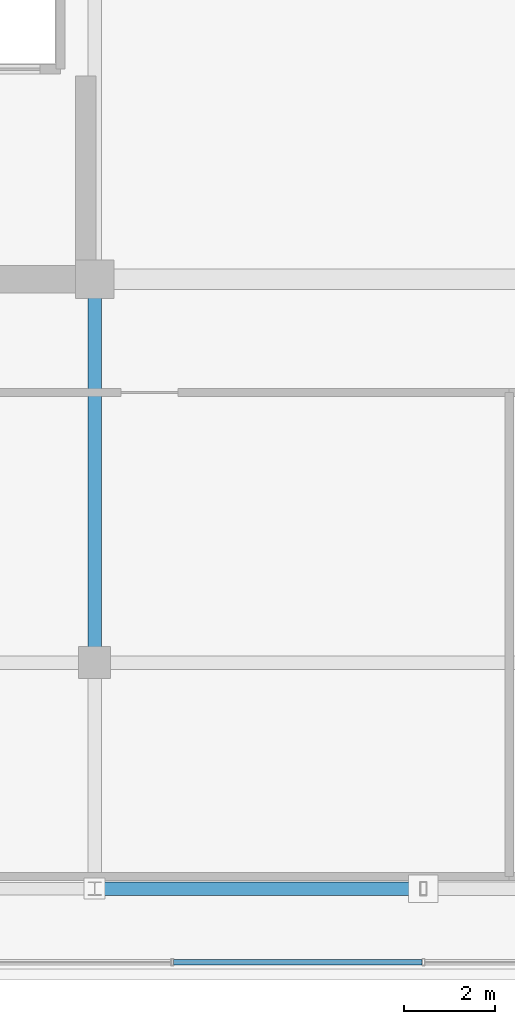
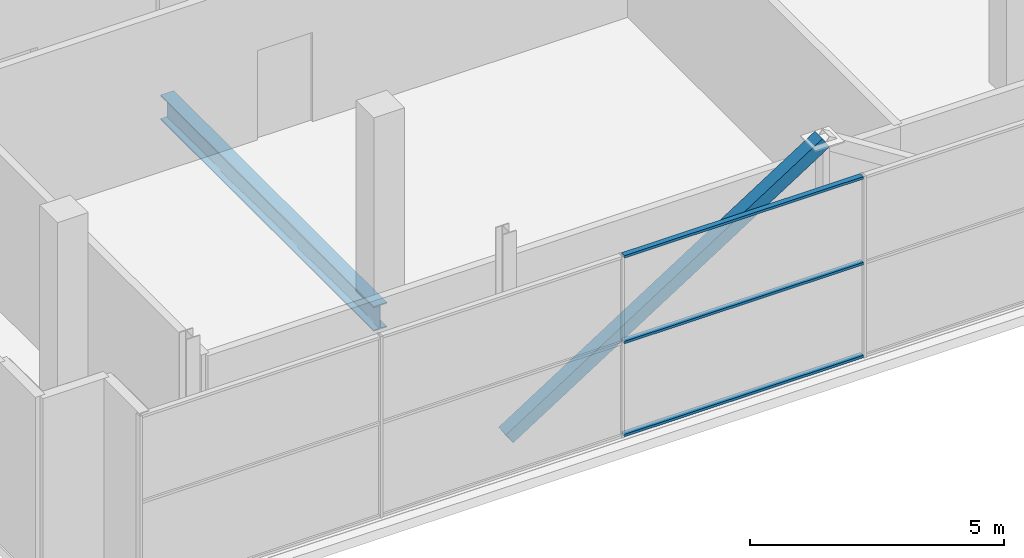
# One storey, part 6 of 26: 4 members, 1 beam, 1 element without a shape of its own.
"""IFC4 building model written with IfcOpenShell, lengths in metres."""

import ifcopenshell
import ifcopenshell.guid

model = None  # the IFC model being written
_history = None  # IfcOwnerHistory: only IFC2X3 demands one
_inside = {}  # id of a spatial element -> (the spatial element, [elements in it])
_under = {}  # id of a project, library or spatial element -> (it, [spatial elements below it])
_declared = {}  # id of a project -> (the project, [libraries it declares])
_typed = {}  # id of a type object -> (the type object, [elements of that type])
_made_of = {}  # id of a material, layer set ... -> (it, [elements and type objects made of it])


def new_model(schema):
    """Start an empty IFC model of exactly this schema.

    Asked for "IFC4X3", IfcOpenShell would pick the latest addendum, in which some entities
    have other attributes; the version numbers below select the first issue.
    IFC2X3 requires an IfcOwnerHistory on every rooted entity: one is made here for all.
    """
    global model, _history
    if schema == "IFC4X3":
        model = ifcopenshell.file(schema_version=(4, 3, 0, 0))
    else:
        model = ifcopenshell.file(schema=schema)
    _inside.clear()
    _under.clear()
    _declared.clear()
    _typed.clear()
    _made_of.clear()
    _history = None
    if model.schema == "IFC2X3":
        org = make("IfcOrganization", Name="unknown")
        user = make(
            "IfcPersonAndOrganization",
            ThePerson=make("IfcPerson", FamilyName="unknown"),
            TheOrganization=org,
        )
        app = make(
            "IfcApplication",
            ApplicationDeveloper=org,
            Version="unknown",
            ApplicationFullName="unknown",
            ApplicationIdentifier="unknown",
        )
        _history = make(
            "IfcOwnerHistory",
            OwningUser=user,
            OwningApplication=app,
            ChangeAction="ADDED",
            CreationDate=0,
        )
    return model


def make(cls, **values):
    """One entity of the class cls with the attributes given. An attribute that is None is left unset."""
    return model.create_entity(
        cls, **{name: value for name, value in values.items() if value is not None}
    )


def rooted(cls, **values):
    """An entity with a GlobalId (a new one), such as an element, a storey or a relation."""
    return make(cls, GlobalId=ifcopenshell.guid.new(), OwnerHistory=_history, **values)


def si_unit(unit_type, name, prefix=None):
    """IfcSIUnit, for example si_unit("LENGTHUNIT", "METRE", prefix="MILLI")."""
    return make("IfcSIUnit", UnitType=unit_type, Prefix=prefix, Name=name)


def assignment(units):
    """IfcUnitAssignment: the units of a project."""
    return None if units is None else make("IfcUnitAssignment", Units=units)


def point(xyz):
    """IfcCartesianPoint."""
    return None if xyz is None else make("IfcCartesianPoint", Coordinates=xyz)


def direction(xyz):
    """IfcDirection."""
    return None if xyz is None else make("IfcDirection", DirectionRatios=xyz)


def frame(location, z_axis=None, x_axis=None):
    """IfcAxis2Placement3D, a coordinate frame: its origin and axes. An axis left out is left unset."""
    return make(
        "IfcAxis2Placement3D",
        Location=point(location),
        Axis=direction(z_axis),
        RefDirection=direction(x_axis),
    )


def frame_2d(location, x_axis=None):
    """IfcAxis2Placement2D, a coordinate frame in the plane: its origin and x axis."""
    return make(
        "IfcAxis2Placement2D", Location=point(location), RefDirection=direction(x_axis)
    )


def origin():
    """The frame at (0, 0, 0) with its axes left unset."""
    return frame((0.0, 0.0, 0.0))


def origin_2d():
    """The frame at (0, 0) in the plane with its x axis left unset."""
    return frame_2d((0.0, 0.0))


def place(relative_to, where):
    """IfcLocalPlacement: puts the frame where relative to a parent placement (None: the world)."""
    return make(
        "IfcLocalPlacement", PlacementRelTo=relative_to, RelativePlacement=where
    )


def context(
    kind, dimensions, precision=None, world=None, true_north=None, identifier=None
):
    """IfcGeometricRepresentationContext, for example the 3D "Model" context."""
    return make(
        "IfcGeometricRepresentationContext",
        ContextIdentifier=identifier,
        ContextType=kind,
        CoordinateSpaceDimension=dimensions,
        Precision=precision,
        WorldCoordinateSystem=world,
        TrueNorth=true_north,
    )


def subcontext(parent, identifier, kind, view, scale=None):
    """IfcGeometricRepresentationSubContext, for example "Body" below "Model"."""
    return make(
        "IfcGeometricRepresentationSubContext",
        ContextIdentifier=identifier,
        ContextType=kind,
        ParentContext=parent,
        TargetScale=scale,
        TargetView=view,
    )


def project(units=None, contexts=None):
    """IfcProject with its units and contexts."""
    return rooted(
        "IfcProject",
        Name="project",
        RepresentationContexts=contexts,
        UnitsInContext=assignment(units),
    )


def spatial(cls, under=None, at=None, **own):
    """A site, building, storey or space (cls), placed at a placement, below another one or the project."""
    s = rooted(cls, ObjectPlacement=at, **own)
    if under is not None:
        _under.setdefault(under.id(), (under, []))[1].append(s)
    return s


def profile(cls, at=None, kind="AREA", **sizes):
    """A parametric profile (cls). Its sizes go by their IFC names, for example OverallWidth=200.0."""
    return make(cls, ProfileType=kind, Position=at, **sizes)


def hollow_rectangle(**sizes):
    """IfcRectangleHollowProfileDef."""
    return profile("IfcRectangleHollowProfileDef", **sizes)


def i_section(**sizes):
    """IfcIShapeProfileDef."""
    return profile("IfcIShapeProfileDef", **sizes)


def extrude(swept, where, along, depth):
    """IfcExtrudedAreaSolid: the profile swept, set in the frame where, extruded along a direction by depth."""
    return make(
        "IfcExtrudedAreaSolid",
        SweptArea=swept,
        Position=where,
        ExtrudedDirection=direction(along),
        Depth=depth,
    )


def shape(context_of_items, identifier, shape_type, items):
    """IfcShapeRepresentation: the items that make up one representation, for example the "Body"."""
    return make(
        "IfcShapeRepresentation",
        ContextOfItems=context_of_items,
        RepresentationIdentifier=identifier,
        RepresentationType=shape_type,
        Items=items,
    )


def source(mapping_origin, context_of_items, identifier, shape_type, items):
    """IfcRepresentationMap: a shape defined once, which mapped items show again and again."""
    return make(
        "IfcRepresentationMap",
        MappingOrigin=mapping_origin,
        MappedRepresentation=shape(context_of_items, identifier, shape_type, items),
    )


def transform(
    local_origin,
    x_axis=None,
    y_axis=None,
    z_axis=None,
    scale=None,
    scale2=None,
    scale3=None,
    uniform=True,
):
    """IfcCartesianTransformationOperator3D, or its non-uniform kind. x_axis, y_axis, z_axis: its Axis1, 2, 3."""
    if uniform:
        return make(
            "IfcCartesianTransformationOperator3D",
            Axis1=direction(x_axis),
            Axis2=direction(y_axis),
            LocalOrigin=point(local_origin),
            Scale=scale,
            Axis3=direction(z_axis),
        )
    return make(
        "IfcCartesianTransformationOperator3DnonUniform",
        Axis1=direction(x_axis),
        Axis2=direction(y_axis),
        LocalOrigin=point(local_origin),
        Scale=scale,
        Axis3=direction(z_axis),
        Scale2=scale2,
        Scale3=scale3,
    )


def mapped(mapping_source, mapping_target):
    """IfcMappedItem: shows the shape of a source again, moved by a transform."""
    return make(
        "IfcMappedItem", MappingSource=mapping_source, MappingTarget=mapping_target
    )


def material(Name=None, Category=None):
    """IfcMaterial."""
    return make("IfcMaterial", Name=Name, Category=Category)


def layer(
    of_material, thickness, ventilated=None, Name=None, Category=None, Priority=None
):
    """IfcMaterialLayer: one layer of a wall or slab, of a material (None: an air gap)."""
    return make(
        "IfcMaterialLayer",
        Material=of_material,
        LayerThickness=thickness,
        IsVentilated=ventilated,
        Name=Name,
        Category=Category,
        Priority=Priority,
    )


def layer_set(layers, Name=None):
    """IfcMaterialLayerSet."""
    return make("IfcMaterialLayerSet", MaterialLayers=layers, LayerSetName=Name)


def material_profile(
    of_material, cross_section, Name=None, Category=None, Priority=None
):
    """IfcMaterialProfile: a cross section and its material."""
    return make(
        "IfcMaterialProfile",
        Name=Name,
        Material=of_material,
        Profile=cross_section,
        Priority=Priority,
        Category=Category,
    )


def profile_set(profiles, Name=None, composite=None):
    """IfcMaterialProfileSet."""
    return make(
        "IfcMaterialProfileSet",
        Name=Name,
        MaterialProfiles=profiles,
        CompositeProfile=composite,
    )


def made_of(thing, what):
    """Note that an element or type object is made of a material, layer set ...; save() writes the relation."""
    if what is not None:
        _made_of.setdefault(what.id(), (what, []))[1].append(thing)
    return thing


def type_object(cls, material=None, **own):
    """A type object (cls), such as IfcWallType, which elements share."""
    return made_of(rooted(cls, **own), material)


def element(
    cls,
    number,
    at=None,
    inside=None,
    cuts=None,
    type_object=None,
    material=None,
    context=None,
    identifier="Body",
    shape_type=None,
    held_by="IfcProductDefinitionShape",
    body=None,
    shapes=None,
    **own,
):
    """One element of the class cls, such as IfcWall. Its Tag is "e" and its number.

    at: its placement. inside: the storey or other place that contains it. cuts: it is an
    opening in that element (IfcRelVoidsElement). A single representation is given by context,
    identifier, shape_type and body (its items); several are given by shapes. held_by: the class
    of the entity that holds the representations. save() writes the other relations.
    """
    e = rooted(cls, Tag="e%d" % number, ObjectPlacement=at, **own)
    if body is not None:
        shapes = [shape(context, identifier, shape_type, body)]
    if shapes is not None:
        e.Representation = make(held_by, Representations=shapes)
    if inside is not None:
        _inside.setdefault(inside.id(), (inside, []))[1].append(e)
    if cuts is not None:
        rooted(
            "IfcRelVoidsElement", RelatingBuildingElement=cuts, RelatedOpeningElement=e
        )
    if type_object is not None:
        _typed.setdefault(type_object.id(), (type_object, []))[1].append(e)
    return made_of(e, material)


def aggregate(whole, parts):
    """IfcRelAggregates: a whole, such as a stair, and the parts it consists of."""
    return rooted("IfcRelAggregates", RelatingObject=whole, RelatedObjects=parts)


def save(model, path):
    """Write the relations noted so far, then the file.

    IfcRelAggregates (storeys below a building ...), IfcRelContainedInSpatialStructure (elements
    in a storey), IfcRelDefinesByType, IfcRelAssociatesMaterial and IfcRelDeclares: one each for
    every whole, place, type object, material and project.
    """
    for whole, parts in _under.values():
        aggregate(whole, parts)
    for where, things in _inside.values():
        rooted(
            "IfcRelContainedInSpatialStructure",
            RelatedElements=things,
            RelatingStructure=where,
        )
    for kind, things in _typed.values():
        rooted("IfcRelDefinesByType", RelatedObjects=things, RelatingType=kind)
    for what, things in _made_of.values():
        rooted("IfcRelAssociatesMaterial", RelatedObjects=things, RelatingMaterial=what)
    for by, libraries in _declared.values():
        rooted("IfcRelDeclares", RelatingContext=by, RelatedDefinitions=libraries)
    model.write(path)


model = new_model("IFC4")

# Units and contexts
model_context = context("Model", 3, precision=1e-05, world=origin(), true_north=direction((0.0, 1.0)))
body_context = subcontext(model_context, "Body", "Model", "MODEL_VIEW")
ifc_project = project(units=[si_unit("LENGTHUNIT", "METRE"), si_unit("AREAUNIT", "SQUARE_METRE"), si_unit("VOLUMEUNIT", "CUBIC_METRE"), si_unit("PLANEANGLEUNIT", "RADIAN"), si_unit("MASSUNIT", "GRAM", prefix="KILO")], contexts=[model_context])

# Site, building, storey
site_placement = place(None, origin())
site = spatial("IfcSite", under=ifc_project, at=site_placement, CompositionType="ELEMENT")
building_placement = place(site_placement, origin())
building = spatial("IfcBuilding", under=site, at=building_placement, Name="Zarnakvel Exchange Tower", CompositionType="ELEMENT")
storey_placement = place(building_placement, frame((0.0, 0.0, 280.800048828125)))
storey = spatial("IfcBuildingStorey", under=building, at=storey_placement, Name="Crown L79", CompositionType="ELEMENT", Elevation=280.800048828125)

# Beam
ifc_material_1 = material(Name="Steel S355", Category="steel")
ifc_material_profile_1 = material_profile(ifc_material_1, i_section(OverallWidth=0.300048828125, OverallDepth=0.60009765625, WebThickness=0.015380859375, FlangeThickness=0.030029296875, FilletRadius=0.027099609375, at=origin_2d()))
ifc_profile_set_1 = profile_set([ifc_material_profile_1], Name="Steel S355")
beam_type = type_object("IfcBeamType", Name="G-04", PredefinedType="BEAM", material=ifc_profile_set_1)
beam_placement = place(storey_placement, frame((-7.199951171875, -9.60009765625, -0.52001953125), z_axis=(0.0, 1.0, 0.0), x_axis=(-1.0, 0.0, 0.0)))
element("IfcBeam", 1, at=beam_placement, inside=storey, type_object=beam_type, Name="Crown L79 Tower N-S Frame Beam", PredefinedType="BEAM", context=body_context, shape_type="SweptSolid", body=[
    extrude(i_section(OverallWidth=0.300048828125, OverallDepth=0.60009765625, WebThickness=0.015380859375, FlangeThickness=0.030029296875, FilletRadius=0.027099609375, at=origin_2d()), origin(), (0.0, 0.0, 1.0), 8.400146484375),
])

# Member
ifc_material_profile_2 = material_profile(ifc_material_1, hollow_rectangle(XDim=0.300048828125, YDim=0.300048828125, WallThickness=0.01611328125, at=origin_2d()))
ifc_profile_set_2 = profile_set([ifc_material_profile_2], Name="Steel S355")
member_type_1 = type_object("IfcMemberType", Name="CB-BR2", PredefinedType="BRACE", material=ifc_profile_set_2)
shared_shape_1 = source(origin(), body_context, "Body", "SweptSolid", [
    extrude(hollow_rectangle(XDim=0.300048828125, YDim=0.300048828125, WallThickness=0.01611328125, at=origin_2d()), origin(), (0.0, 0.0, 1.0), 8.5439453125),
])
member_1_placement = place(storey_placement, frame((-7.199951171875, -14.550048828125, -0.360107421875), z_axis=(0.842689417531, 0.0, 0.53839998661), x_axis=(0.0, 1.0, 0.0)))
element("IfcMember", 2, at=member_1_placement, inside=storey, type_object=member_type_1, Name="Crown L79 Crown Chevron Brace L (CB-BR2)", PredefinedType="BRACE", context=body_context, shape_type="MappedRepresentation", body=[
    mapped(shared_shape_1, transform((0.0, 0.0, 0.0), x_axis=(1.0, 0.0, 0.0), y_axis=(0.0, 1.0, 0.0), z_axis=(0.0, 0.0, 1.0), scale=1.0)),
])

# Curtain wall, members
ifc_material_2 = material(Name="Architectural Bronze Anodised Aluminium", Category="aluminium")
ifc_layer = layer(ifc_material_2, 0.14990234375)
ifc_layer_set = layer_set([ifc_layer], Name="Architectural Bronze Anodised Aluminium")
curtain_wall_type = type_object("IfcCurtainWallType", Name="CW-07", PredefinedType="NOTDEFINED", material=ifc_layer_set)
curtain_wall_placement = place(storey_placement, origin())
curtain_wall = element("IfcCurtainWall", 3, at=curtain_wall_placement, inside=storey, type_object=curtain_wall_type, Name="Crown L79 Curtain Wall CW-Crown L79-S (CW-07)", PredefinedType="NOTDEFINED")
ifc_material_profile_3 = material_profile(ifc_material_2, hollow_rectangle(XDim=0.1201171875, YDim=0.06005859375, WallThickness=0.00390625, at=origin_2d()))
ifc_profile_set_3 = profile_set([ifc_material_profile_3], Name="Architectural Bronze Anodised Aluminium")
member_type_2 = type_object("IfcMemberType", Name="CWT-07", PredefinedType="USERDEFINED", material=ifc_profile_set_3)
shared_shape_2 = source(origin(), body_context, "Body", "SweptSolid", [
    extrude(hollow_rectangle(XDim=0.1201171875, YDim=0.06005859375, WallThickness=0.00390625, at=origin_2d()), origin(), (0.0, 0.0, 1.0), 5.43994140625),
])
member_2_placement = place(storey_placement, frame((-5.469970703125, -16.159912109375, 0.030029296875), z_axis=(1.0, 0.0, 0.0), x_axis=(0.0, 1.0, 0.0)))
member_2 = element("IfcMember", 4, at=member_2_placement, type_object=member_type_2, Name="CW-07 transom 3.1", ObjectType="TRANSOM", PredefinedType="USERDEFINED", context=body_context, shape_type="MappedRepresentation", body=[
    mapped(shared_shape_2, transform((0.0, 0.0, 0.0), x_axis=(1.0, 0.0, 0.0), y_axis=(0.0, 1.0, 0.0), z_axis=(0.0, 0.0, 1.0), scale=1.0)),
])
member_3_placement = place(storey_placement, frame((-5.469970703125, -16.159912109375, 2.26708984375), z_axis=(1.0, 0.0, 0.0), x_axis=(0.0, 1.0, 0.0)))
member_3 = element("IfcMember", 5, at=member_3_placement, type_object=member_type_2, Name="CW-07 transom 3.2", ObjectType="TRANSOM", PredefinedType="USERDEFINED", context=body_context, shape_type="MappedRepresentation", body=[
    mapped(shared_shape_2, transform((0.0, 0.0, 0.0), x_axis=(1.0, 0.0, 0.0), y_axis=(0.0, 1.0, 0.0), z_axis=(0.0, 0.0, 1.0), scale=1.0)),
])
member_4_placement = place(storey_placement, frame((-5.469970703125, -16.159912109375, 4.329833984375), z_axis=(1.0, 0.0, 0.0), x_axis=(0.0, 1.0, 0.0)))
member_4 = element("IfcMember", 6, at=member_4_placement, type_object=member_type_2, Name="CW-07 transom 3.3", ObjectType="TRANSOM", PredefinedType="USERDEFINED", context=body_context, shape_type="MappedRepresentation", body=[
    mapped(shared_shape_2, transform((0.0, 0.0, 0.0), x_axis=(1.0, 0.0, 0.0), y_axis=(0.0, 1.0, 0.0), z_axis=(0.0, 0.0, 1.0), scale=1.0)),
])
aggregate(curtain_wall, [member_2, member_3, member_4])

save(model, "model.ifc")
